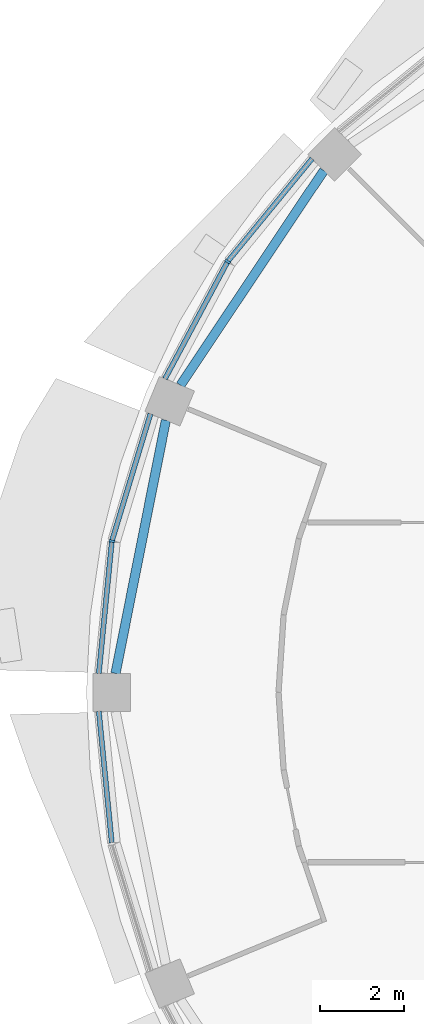
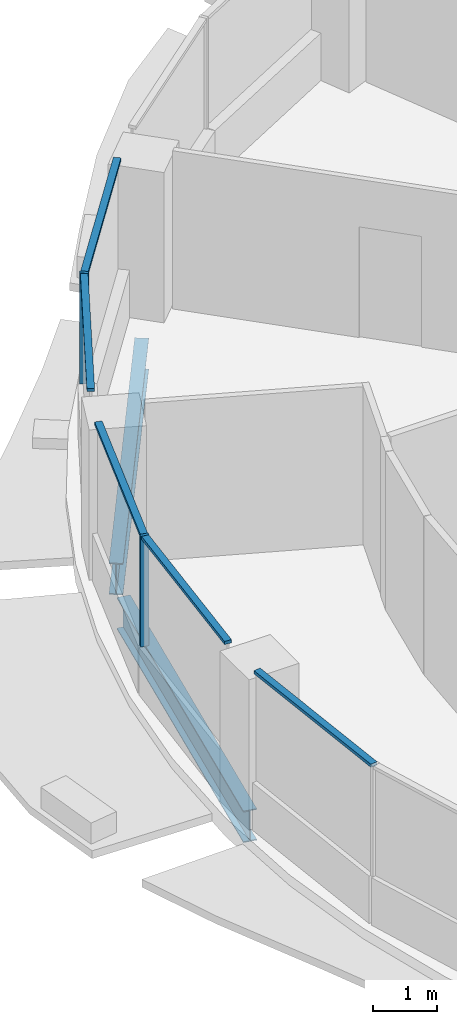
# One storey, part 4 of 15: 7 members, 2 beams, 3 elements without a shape of their own.
"""IFC4 building model written with IfcOpenShell, lengths in metres."""

from ifc_helpers import new_model, si_unit, direction, frame, origin, origin_2d, place, context, subcontext, project, spatial, rectangle, i_section, extrude, material, material_profile, profile_set, type_object, element, aggregate, save


model = new_model("IFC4")

# Units and contexts
model_context = context("Model", 3, precision=1e-05, world=origin(), true_north=direction((0.0, 1.0)))
body_context = subcontext(model_context, "Body", "Model", "MODEL_VIEW")
ifc_project = project(units=[si_unit("LENGTHUNIT", "METRE"), si_unit("AREAUNIT", "SQUARE_METRE"), si_unit("VOLUMEUNIT", "CUBIC_METRE"), si_unit("PLANEANGLEUNIT", "RADIAN"), si_unit("MASSUNIT", "GRAM", prefix="KILO")], contexts=[model_context])

# Site, building, storey
site_placement = place(None, origin())
site = spatial("IfcSite", under=ifc_project, at=site_placement, CompositionType="ELEMENT")
building_placement = place(site_placement, origin())
building = spatial("IfcBuilding", under=site, at=building_placement, Name="Polderwave Tower", CompositionType="ELEMENT")
storey_placement = place(building_placement, frame((0.0, 0.0, 180.949951171875)))
storey = spatial("IfcBuildingStorey", under=building, at=storey_placement, Name="L48", CompositionType="ELEMENT", Elevation=180.949951171875)

# Curtain wall, member
ifc_material_1 = material(Name="Aluminium 6063-T6 and glass", Category="aluminium")
curtain_wall_type = type_object("IfcCurtainWallType", Name="Office ribbon glazing wall", PredefinedType="NOTDEFINED", material=ifc_material_1)
curtain_wall_1_placement = place(storey_placement, origin())
curtain_wall_1 = element("IfcCurtainWall", 1, at=curtain_wall_1_placement, inside=storey, type_object=curtain_wall_type, Name="CW3 L48 06", PredefinedType="NOTDEFINED")
ifc_material_2 = material(Name="Aluminium 6063-T6", Category="aluminium")
ifc_material_profile_1 = material_profile(ifc_material_2, rectangle(XDim=0.139892578125, YDim=0.054931640625, at=origin_2d()), Name="AL 55x140")
ifc_profile_set_1 = profile_set([ifc_material_profile_1], Name="Aluminium 6063-T6")
member_type_1 = type_object("IfcMemberType", Name="Office ribbon glazing mullion 55x140", PredefinedType="MULLION", material=ifc_profile_set_1)
member_1_placement = place(storey_placement, frame((-15.27392578125, 10.2060546875, 0.900146484375), z_axis=(0.0, 0.0, 1.0), x_axis=(0.83138621278, -0.555695028949, 0.0)))
member_1 = element("IfcMember", 2, at=member_1_placement, type_object=member_type_1, Name="CW3 mullion 1", PredefinedType="MULLION", context=body_context, shape_type="SweptSolid", body=[
    extrude(rectangle(XDim=0.139892578125, YDim=0.054931640625, at=origin_2d()), origin(), (0.0, 0.0, 1.0), 2.099853515625),
])

curtain_wall_2_placement = place(storey_placement, origin())
curtain_wall_2 = element("IfcCurtainWall", 3, at=curtain_wall_2_placement, inside=storey, type_object=curtain_wall_type, Name="CW3 L48 07", PredefinedType="NOTDEFINED")
member_2_placement = place(storey_placement, frame((-18.01708984375, 3.583984375, 0.900146484375), z_axis=(0.0, 0.0, 1.0), x_axis=(0.980774723565, -0.195143387321, 0.0)))
member_2 = element("IfcMember", 4, at=member_2_placement, type_object=member_type_1, Name="CW3 mullion 1", PredefinedType="MULLION", context=body_context, shape_type="SweptSolid", body=[
    extrude(rectangle(XDim=0.139892578125, YDim=0.054931640625, at=origin_2d()), origin(), (0.0, 0.0, 1.0), 2.099853515625),
])

# Member
ifc_material_profile_2 = material_profile(ifc_material_2, rectangle(XDim=0.1201171875, YDim=0.06005859375, at=origin_2d()), Name="AL 60x120")
ifc_profile_set_2 = profile_set([ifc_material_profile_2], Name="Aluminium 6063-T6")
member_type_2 = type_object("IfcMemberType", Name="Office ribbon glazing transom 60x120", PredefinedType="USERDEFINED", material=ifc_profile_set_2)
member_3_placement = place(storey_placement, frame((-13.27587890625, 12.639892578125, 2.969970703125), z_axis=(-0.634535918475, -0.772893374383, 0.0), x_axis=(0.772893374383, -0.634535918475, 0.0)))
member_3 = element("IfcMember", 5, at=member_3_placement, type_object=member_type_2, Name="CW3 transom 1", ObjectType="TRANSOM", PredefinedType="USERDEFINED", context=body_context, shape_type="SweptSolid", body=[
    extrude(rectangle(XDim=0.1201171875, YDim=0.06005859375, at=origin_2d()), origin(), (0.0, 0.0, 1.0), 3.12158203125),
])

member_4_placement = place(storey_placement, frame((-15.287109375, 10.181640625, 2.969970703125), z_axis=(-0.471541933761, -0.881843639601, 0.0), x_axis=(0.881843639601, -0.471541933761, 0.0)))
member_4 = element("IfcMember", 6, at=member_4_placement, type_object=member_type_2, Name="CW3 transom 2", ObjectType="TRANSOM", PredefinedType="USERDEFINED", context=body_context, shape_type="SweptSolid", body=[
    extrude(rectangle(XDim=0.1201171875, YDim=0.06005859375, at=origin_2d()), origin(), (0.0, 0.0, 1.0), 3.12158203125),
])

aggregate(curtain_wall_1, [member_1, member_3, member_4])

member_5_placement = place(storey_placement, frame((-17.10302734375, 6.596923828125, 2.969970703125), z_axis=(-0.290296140087, -0.956936858445, 0.0), x_axis=(0.956936858445, -0.290296140087, 0.0)))
member_5 = element("IfcMember", 7, at=member_5_placement, type_object=member_type_2, Name="CW3 transom 1", ObjectType="TRANSOM", PredefinedType="USERDEFINED", context=body_context, shape_type="SweptSolid", body=[
    extrude(rectangle(XDim=0.1201171875, YDim=0.06005859375, at=origin_2d()), origin(), (0.0, 0.0, 1.0), 3.120849609375),
])

member_6_placement = place(storey_placement, frame((-18.019775390625, 3.556640625, 2.969970703125), z_axis=(-0.098071118168, -0.995179408841, 0.0), x_axis=(0.995179408841, -0.098071118168, 0.0)))
member_6 = element("IfcMember", 8, at=member_6_placement, type_object=member_type_2, Name="CW3 transom 2", ObjectType="TRANSOM", PredefinedType="USERDEFINED", context=body_context, shape_type="SweptSolid", body=[
    extrude(rectangle(XDim=0.1201171875, YDim=0.06005859375, at=origin_2d()), origin(), (0.0, 0.0, 1.0), 3.121826171875),
])

aggregate(curtain_wall_2, [member_2, member_5, member_6])

# Curtain wall, member
curtain_wall_3_placement = place(storey_placement, origin())
curtain_wall_3 = element("IfcCurtainWall", 9, at=curtain_wall_3_placement, inside=storey, type_object=curtain_wall_type, Name="CW3 L48 08", PredefinedType="NOTDEFINED")
member_7_placement = place(storey_placement, frame((-18.325927734375, -0.449951171875, 2.969970703125), z_axis=(0.098071118168, -0.995179408841, 0.0), x_axis=(0.995179408841, 0.098071118168, 0.0)))
member_7 = element("IfcMember", 10, at=member_7_placement, type_object=member_type_2, Name="CW3 transom 1", ObjectType="TRANSOM", PredefinedType="USERDEFINED", context=body_context, shape_type="SweptSolid", body=[
    extrude(rectangle(XDim=0.1201171875, YDim=0.06005859375, at=origin_2d()), origin(), (0.0, 0.0, 1.0), 3.121826171875),
])
aggregate(curtain_wall_3, [member_7])

# Beams
ifc_material_3 = material(Name="Steel S355", Category="steel")
ifc_material_profile_3 = material_profile(ifc_material_3, i_section(OverallWidth=0.219970703125, OverallDepth=0.60009765625, WebThickness=0.011962890625, FlangeThickness=0.01904296875, at=origin_2d()), Name="IPE 600")
ifc_profile_set_3 = profile_set([ifc_material_profile_3], Name="Steel S355")
beam_type = type_object("IfcBeamType", Name="RING BEAM IPE 600", PredefinedType="BEAM", material=ifc_profile_set_3)
for number, where, z_axis, x_axis, name in (
    (11, (-12.9970703125, 12.360595703125, -0.64990234375), (-0.555538553645, -0.831490778911, 0.0), (0.831490778911, -0.555538553645, 0.0), "ST-RB-L48-06"),
    (12, (-16.73779296875, 6.446044921875, -0.64990234375), (-0.195079268525, -0.980787479014, 0.0), (0.980787479014, -0.195079268525, 0.0), "ST-RB-L48-07"),
):
    element("IfcBeam", number, at=place(storey_placement, frame(where, z_axis=z_axis, x_axis=x_axis)), inside=storey, type_object=beam_type, Name=name, PredefinedType="BEAM", context=body_context, shape_type="SweptSolid", body=[
        extrude(i_section(OverallWidth=0.219970703125, OverallDepth=0.60009765625, WebThickness=0.011962890625, FlangeThickness=0.01904296875, at=origin_2d()), origin(), (0.0, 0.0, 1.0), 6.113525390625),
    ])

save(model, "model.ifc")
